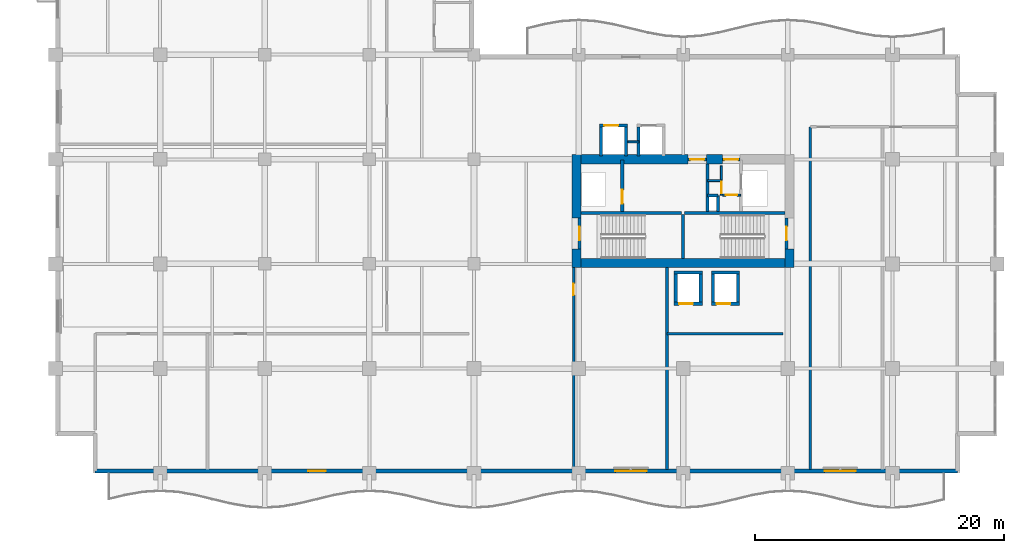
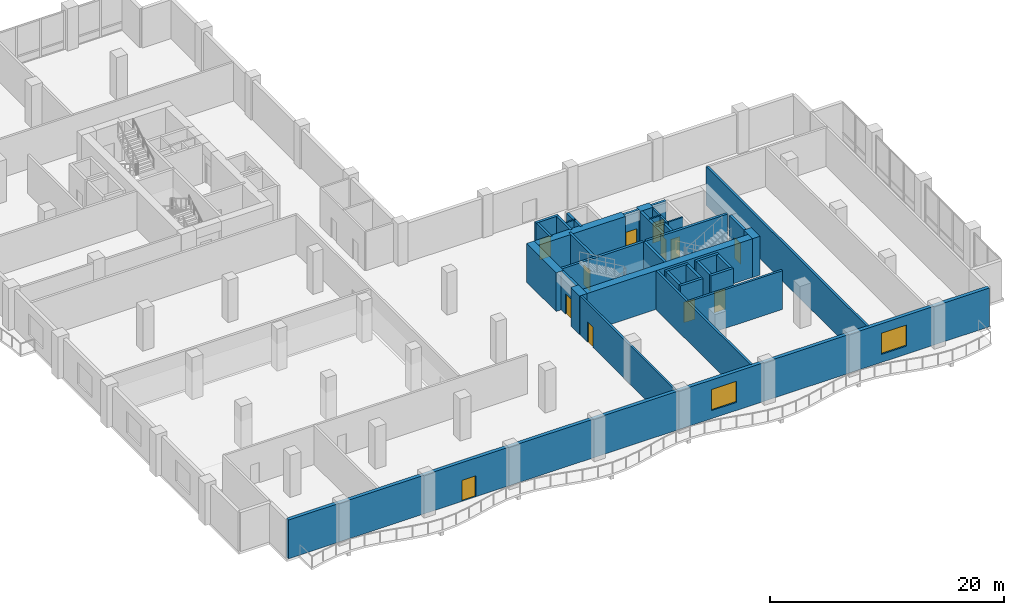
# One storey, part 14 of 25: 38 walls, 12 doors, 2 windows, 14 openings.
"""IFC4 building model written with IfcOpenShell, lengths in metres."""

from ifc_helpers import new_model, si_unit, direction, frame, frame_2d, origin, place, context, subcontext, project, spatial, rectangle, extrude, material, layer, layer_set, type_object, element, fill, save


model = new_model("IFC4")

# Units and contexts
model_context = context("Model", 3, precision=1e-05, world=origin(), true_north=direction((0.0, 1.0)))
body_context = subcontext(model_context, "Body", "Model", "MODEL_VIEW")
ifc_project = project(units=[si_unit("LENGTHUNIT", "METRE"), si_unit("AREAUNIT", "SQUARE_METRE"), si_unit("VOLUMEUNIT", "CUBIC_METRE"), si_unit("PLANEANGLEUNIT", "RADIAN"), si_unit("MASSUNIT", "GRAM", prefix="KILO")], contexts=[model_context])

# Site, building, storey
site_placement = place(None, origin())
site = spatial("IfcSite", under=ifc_project, at=site_placement, CompositionType="ELEMENT")
building_placement = place(site_placement, origin())
building = spatial("IfcBuilding", under=site, at=building_placement, Name="Koriwani Terraces Tower", CompositionType="ELEMENT")
storey_placement = place(building_placement, frame((0.0, 0.0, 157.60009765625)))
storey = spatial("IfcBuildingStorey", under=building, at=storey_placement, Name="L38", CompositionType="ELEMENT", Elevation=157.60009765625)

# Walls
ifc_material_1 = material(Name="Concrete C60/75", Category="concrete")
ifc_layer_1 = layer(ifc_material_1, 0.75, Name="Concrete C60/75")
ifc_layer_set_1 = layer_set([ifc_layer_1], Name="Concrete C60/75")
wall_type_1 = type_object("IfcWallType", Name="WALL_CORE_RC_750", PredefinedType="SHEAR", material=ifc_layer_set_1)
wall_1_placement = place(storey_placement, frame((41.824951171875, 16.5, 0.0), z_axis=(0.0, 0.0, 1.0), x_axis=(0.0, 1.0, 0.0)))
element("IfcWall", 1, at=wall_1_placement, inside=storey, type_object=wall_type_1, Name="L38 East Split Core Shear Wall W1", PredefinedType="SHEAR", context=body_context, shape_type="SweptSolid", body=[
    extrude(rectangle(XDim=1.5, YDim=0.75, at=frame_2d((0.75, 0.0))), origin(), (0.0, 0.0, 1.0), 4.0498046875),
])
wall_2_placement = place(storey_placement, frame((41.824951171875, 20.5, 0.0), z_axis=(0.0, 0.0, 1.0), x_axis=(0.0, 1.0, 0.0)))
element("IfcWall", 2, at=wall_2_placement, inside=storey, type_object=wall_type_1, Name="L38 East Split Core Shear Wall W2", PredefinedType="SHEAR", context=body_context, shape_type="SweptSolid", body=[
    extrude(rectangle(XDim=5.074951171875, YDim=0.75, at=frame_2d((2.53759765625, 0.0))), origin(), (0.0, 0.0, 1.0), 4.0498046875),
])
wall_3_placement = place(storey_placement, frame((58.925048828125, 16.5, 0.0), z_axis=(0.0, 0.0, 1.0), x_axis=(0.0, 1.0, 0.0)))
element("IfcWall", 3, at=wall_3_placement, inside=storey, type_object=wall_type_1, Name="L38 East Split Core Shear Wall E1", PredefinedType="SHEAR", context=body_context, shape_type="SweptSolid", body=[
    extrude(rectangle(XDim=1.5, YDim=0.75, at=frame_2d((0.75, 0.0))), origin(), (0.0, 0.0, 1.0), 4.0498046875),
])
wall_4_placement = place(storey_placement, frame((42.199951171875, 16.875, 0.0), z_axis=(0.0, 0.0, 1.0), x_axis=(1.0, 0.0, 0.0)))
element("IfcWall", 4, at=wall_4_placement, inside=storey, type_object=wall_type_1, Name="L38 East Split Core Shear Wall S1", PredefinedType="SHEAR", context=body_context, shape_type="SweptSolid", body=[
    extrude(rectangle(XDim=16.35009765625, YDim=0.75, at=frame_2d((8.175048828125, 0.0))), origin(), (0.0, 0.0, 1.0), 4.0498046875),
])
wall_5_placement = place(storey_placement, frame((42.199951171875, 25.199951171875, 0.0), z_axis=(0.0, 0.0, 1.0), x_axis=(1.0, 0.0, 0.0)))
element("IfcWall", 5, at=wall_5_placement, inside=storey, type_object=wall_type_1, Name="L38 East Split Core Shear Wall N1", PredefinedType="SHEAR", context=body_context, shape_type="SweptSolid", body=[
    extrude(rectangle(XDim=8.60009765625, YDim=0.75, at=frame_2d((4.300048828125, 0.0))), origin(), (0.0, 0.0, 1.0), 4.0498046875),
])
wall_6_placement = place(storey_placement, frame((52.280029296875, 25.199951171875, 0.0), z_axis=(0.0, 0.0, 1.0), x_axis=(1.0, 0.0, 0.0)))
element("IfcWall", 6, at=wall_6_placement, inside=storey, type_object=wall_type_1, Name="L38 East Split Core Shear Wall N2", PredefinedType="SHEAR", context=body_context, shape_type="SweptSolid", body=[
    extrude(rectangle(XDim=1.27001953125, YDim=0.75, at=frame_2d((0.635009765625, 0.0))), origin(), (0.0, 0.0, 1.0), 4.0498046875),
])

# Wall, opening, door
ifc_material_2 = material(Name="Autoclaved Cellular Concrete Blockwork", Category="masonry")
ifc_layer_2 = layer(ifc_material_2, 0.199951171875, Name="Autoclaved Cellular Concrete Blockwork")
ifc_layer_set_2 = layer_set([ifc_layer_2], Name="Autoclaved Cellular Concrete Blockwork")
wall_type_2 = type_object("IfcWallType", Name="WALL_CORRIDOR_200", PredefinedType="PARTITIONING", material=ifc_layer_set_2)
wall_7_placement = place(storey_placement, frame((41.60009765625, 0.300048828125, 0.0), z_axis=(0.0, 0.0, 1.0), x_axis=(0.0, 1.0, 0.0)))
wall_7 = element("IfcWall", 7, at=wall_7_placement, inside=storey, type_object=wall_type_2, Name="L38 Interior Wall WSKY-RECE1-L38", PredefinedType="PARTITIONING", context=body_context, shape_type="SweptSolid", body=[
    extrude(rectangle(XDim=16.199951171875, YDim=0.199951171875, at=frame_2d((8.10009765625, 0.0))), origin(), (0.0, 0.0, 1.0), 4.0498046875),
])
opening_1_placement = place(wall_7_placement, frame((14.0, 0.0, 0.0)))
opening_1 = element("IfcOpeningElement", 8, at=opening_1_placement, cuts=wall_7, Name="Opening D-06", PredefinedType="OPENING", context=body_context, shape_type="SweptSolid", body=[
    extrude(rectangle(XDim=0.919921875, YDim=2.10009765625, at=frame_2d((0.4599609375, 1.050048828125))), frame((0.0, 0.10986328125, 0.0), z_axis=(0.0, -1.0, 0.0), x_axis=(1.0, 0.0, 0.0)), (0.0, 0.0, 1.0), 0.219970703125),
])
ifc_material_3 = material(Name="Architectural Oak Fire Door", Category="wood")
door_type_1 = type_object("IfcDoorType", Name="DOOR_ROOM_INT_920X2100", OperationType="NOTDEFINED", PredefinedType="DOOR", material=ifc_material_3)
door_1_placement = place(opening_1_placement, origin())
door_1 = element("IfcDoor", 9, at=door_1_placement, inside=storey, type_object=door_type_1, Name="L38 VIP Tasting Salon Door", OperationType="SINGLE_SWING_LEFT", OverallHeight=2.10009765625, OverallWidth=0.919921875, PredefinedType="DOOR", context=body_context, shape_type="SweptSolid", body=[
    extrude(rectangle(XDim=0.919921875, YDim=2.10009765625, at=frame_2d((0.4599609375, 1.050048828125))), frame((0.0, 0.02490234375, 0.0), z_axis=(0.0, -1.0, 0.0), x_axis=(1.0, 0.0, 0.0)), (0.0, 0.0, 1.0), 0.050048828125),
])
fill(opening_1, door_1)

# Walls
ifc_layer_3 = layer(ifc_material_2, 0.219970703125, Name="Autoclaved Cellular Concrete Blockwork")
ifc_layer_set_3 = layer_set([ifc_layer_3], Name="Autoclaved Cellular Concrete Blockwork")
wall_type_3 = type_object("IfcWallType", Name="WALL_DEMISING_220", PredefinedType="PARTITIONING", material=ifc_layer_set_3)
wall_8_placement = place(storey_placement, frame((49.10009765625, 0.300048828125, 0.0), z_axis=(0.0, 0.0, 1.0), x_axis=(0.0, 1.0, 0.0)))
element("IfcWall", 10, at=wall_8_placement, inside=storey, type_object=wall_type_3, Name="L38 Interior Wall WSKY-RECE2-L38", PredefinedType="PARTITIONING", context=body_context, shape_type="SweptSolid", body=[
    extrude(rectangle(XDim=16.199951171875, YDim=0.219970703125, at=frame_2d((8.10009765625, 0.0))), origin(), (0.0, 0.0, 1.0), 4.0498046875),
])
wall_9_placement = place(storey_placement, frame((49.10009765625, 11.199951171875, 0.0), z_axis=(0.0, 0.0, 1.0), x_axis=(1.0, 0.0, 0.0)))
element("IfcWall", 11, at=wall_9_placement, inside=storey, type_object=wall_type_3, Name="L38 Interior Wall WSKY-RECE3-L38", PredefinedType="PARTITIONING", context=body_context, shape_type="SweptSolid", body=[
    extrude(rectangle(XDim=9.2998046875, YDim=0.219970703125, at=frame_2d((4.64990234375, 0.0))), origin(), (0.0, 0.0, 1.0), 4.0498046875),
])
wall_10_placement = place(storey_placement, frame((60.60009765625, 0.300048828125, 0.0), z_axis=(0.0, 0.0, 1.0), x_axis=(0.0, 1.0, 0.0)))
element("IfcWall", 12, at=wall_10_placement, inside=storey, type_object=wall_type_3, Name="L38 Interior Wall WSKY-EW-L38", PredefinedType="PARTITIONING", context=body_context, shape_type="SweptSolid", body=[
    extrude(rectangle(XDim=27.5, YDim=0.219970703125, at=frame_2d((13.75, 0.0))), origin(), (0.0, 0.0, 1.0), 4.0498046875),
])

# Wall, openings, door, windows
ifc_material_4 = material(Name="Concrete C50/60", Category="concrete")
ifc_layer_4 = layer(ifc_material_4, 0.35009765625, Name="Concrete C50/60")
ifc_layer_set_4 = layer_set([ifc_layer_4], Name="Concrete C50/60")
wall_type_4 = type_object("IfcWallType", Name="WALL_EXT_BRUTALIST_350", PredefinedType="STANDARD", material=ifc_layer_set_4)
wall_11_placement = place(storey_placement, frame((72.425048828125, 0.175048828125, 0.0), z_axis=(0.0, 0.0, 1.0), x_axis=(-1.0, 0.0, 0.0)))
wall_11 = element("IfcWall", 13, at=wall_11_placement, inside=storey, type_object=wall_type_4, Name="L38 Fair-Faced Brutalist Exterior Wall (S)", PredefinedType="STANDARD", context=body_context, shape_type="SweptSolid", body=[
    extrude(rectangle(XDim=69.25, YDim=0.35009765625, at=frame_2d((34.625, 0.0))), origin(), (0.0, 0.0, 1.0), 4.0498046875),
])
opening_2_placement = place(wall_11_placement, frame((50.72509765625, 0.0, 0.0)))
opening_2 = element("IfcOpeningElement", 14, at=opening_2_placement, cuts=wall_11, Name="Opening D-09", PredefinedType="OPENING", context=body_context, shape_type="SweptSolid", body=[
    extrude(rectangle(XDim=1.39990234375, YDim=2.199951171875, at=frame_2d((0.699951171875, 1.10009765625))), frame((0.0, 0.18505859375, 0.0), z_axis=(0.0, -1.0, 0.0), x_axis=(1.0, 0.0, 0.0)), (0.0, 0.0, 1.0), 0.3701171875),
])
opening_3_placement = place(wall_11_placement, frame((24.97509765625, 0.0, 0.85009765625)))
opening_3 = element("IfcOpeningElement", 15, at=opening_3_placement, cuts=wall_11, Name="Opening W-07", PredefinedType="OPENING", context=body_context, shape_type="SweptSolid", body=[
    extrude(rectangle(XDim=2.5, YDim=2.199951171875, at=frame_2d((1.25, 1.10009765625))), frame((0.0, 0.18505859375, 0.0), z_axis=(0.0, -1.0, 0.0), x_axis=(1.0, 0.0, 0.0)), (0.0, 0.0, 1.0), 0.3701171875),
])
opening_4_placement = place(wall_11_placement, frame((8.175048828125, 0.0, 0.85009765625)))
opening_4 = element("IfcOpeningElement", 16, at=opening_4_placement, cuts=wall_11, Name="Opening W-07", PredefinedType="OPENING", context=body_context, shape_type="SweptSolid", body=[
    extrude(rectangle(XDim=2.5, YDim=2.199951171875, at=frame_2d((1.25, 1.10009765625))), frame((0.0, 0.18505859375, 0.0), z_axis=(0.0, -1.0, 0.0), x_axis=(1.0, 0.0, 0.0)), (0.0, 0.0, 1.0), 0.3701171875),
])
ifc_material_5 = material(Name="Anodised Bronze Aluminium", Category="aluminium")
door_type_2 = type_object("IfcDoorType", Name="DOOR_BALCONY_GLAZED_1400X2200", OperationType="NOTDEFINED", PredefinedType="DOOR", material=ifc_material_5)
door_2_placement = place(opening_2_placement, origin())
door_2 = element("IfcDoor", 17, at=door_2_placement, inside=storey, type_object=door_type_2, Name="L38 South Balcony Glazed Door", OperationType="SINGLE_SWING_LEFT", OverallHeight=2.199951171875, OverallWidth=1.39990234375, PredefinedType="DOOR", context=body_context, shape_type="SweptSolid", body=[
    extrude(rectangle(XDim=1.39990234375, YDim=2.199951171875, at=frame_2d((0.699951171875, 1.10009765625))), frame((0.0, 0.02490234375, 0.0), z_axis=(0.0, -1.0, 0.0), x_axis=(1.0, 0.0, 0.0)), (0.0, 0.0, 1.0), 0.050048828125),
])
fill(opening_2, door_2)
ifc_material_6 = material(Name="Tempered Laminated Low-E Glass", Category="glass")
window_type = type_object("IfcWindowType", Name="WIN_SKY_LOUNGE_2500X2200", PartitioningType="SINGLE_PANEL", PredefinedType="WINDOW", material=ifc_material_6)
window_1_placement = place(opening_3_placement, origin())
window_1 = element("IfcWindow", 18, at=window_1_placement, inside=storey, type_object=window_type, Name="L38 Exterior Window (S-15)", OverallHeight=2.199951171875, OverallWidth=2.5, PartitioningType="SINGLE_PANEL", PredefinedType="WINDOW", context=body_context, shape_type="SweptSolid", body=[
    extrude(rectangle(XDim=2.5, YDim=2.199951171875, at=frame_2d((1.25, 1.10009765625))), frame((0.0, 0.030029296875, 0.0), z_axis=(0.0, -1.0, 0.0), x_axis=(1.0, 0.0, 0.0)), (0.0, 0.0, 1.0), 0.06005859375),
])
fill(opening_3, window_1)
window_2_placement = place(opening_4_placement, origin())
window_2 = element("IfcWindow", 19, at=window_2_placement, inside=storey, type_object=window_type, Name="L38 Exterior Window (S-21)", OverallHeight=2.199951171875, OverallWidth=2.5, PartitioningType="SINGLE_PANEL", PredefinedType="WINDOW", context=body_context, shape_type="SweptSolid", body=[
    extrude(rectangle(XDim=2.5, YDim=2.199951171875, at=frame_2d((1.25, 1.10009765625))), frame((0.0, 0.030029296875, 0.0), z_axis=(0.0, -1.0, 0.0), x_axis=(1.0, 0.0, 0.0)), (0.0, 0.0, 1.0), 0.06005859375),
])
fill(opening_4, window_2)

# Walls
ifc_material_7 = material(Name="Concrete C40/50", Category="concrete")
ifc_layer_5 = layer(ifc_material_7, 0.25, Name="Concrete C40/50")
ifc_layer_set_5 = layer_set([ifc_layer_5], Name="Concrete C40/50")
wall_type_5 = type_object("IfcWallType", Name="WALL_SHAFT_RATED_250", PredefinedType="SOLIDWALL", material=ifc_layer_set_5)
for number, where, z_axis, x_axis, name in (
    (20, (42.199951171875, 20.875, 0.0), (0.0, 0.0, 1.0), (1.0, 0.0, 0.0), "L38 East Split Core Web Wall MID1"),
    (21, (50.5, 20.875, 0.0), (0.0, 0.0, 1.0), (1.0, 0.0, 0.0), "L38 East Split Core Web Wall MID2"),
):
    element("IfcWall", number, at=place(storey_placement, frame(where, z_axis=z_axis, x_axis=x_axis)), inside=storey, type_object=wall_type_5, Name=name, PredefinedType="SOLIDWALL", context=body_context, shape_type="SweptSolid", body=[
        extrude(rectangle(XDim=8.050048828125, YDim=0.25, at=frame_2d((4.02490234375, 0.0))), origin(), (0.0, 0.0, 1.0), 4.0498046875),
    ])
wall_12_placement = place(storey_placement, frame((50.375, 17.25, 0.0), z_axis=(0.0, 0.0, 1.0), x_axis=(0.0, 1.0, 0.0)))
element("IfcWall", 22, at=wall_12_placement, inside=storey, type_object=wall_type_5, Name="L38 East Split Core Stair Dividing Wall", PredefinedType="SOLIDWALL", context=body_context, shape_type="SweptSolid", body=[
    extrude(rectangle(XDim=3.5, YDim=0.25, at=frame_2d((1.75, 0.0))), origin(), (0.0, 0.0, 1.0), 4.0498046875),
])

# Wall, opening, door
wall_13_placement = place(storey_placement, frame((42.074951171875, 18.0, 0.0), z_axis=(0.0, 0.0, 1.0), x_axis=(0.0, 1.0, 0.0)))
wall_13 = element("IfcWall", 23, at=wall_13_placement, inside=storey, type_object=wall_type_5, Name="L38 Interior Wall WIN-CE-L38-STW", PredefinedType="SOLIDWALL", context=body_context, shape_type="SweptSolid", body=[
    extrude(rectangle(XDim=2.5, YDim=0.25, at=frame_2d((1.25, 0.0))), origin(), (0.0, 0.0, 1.0), 4.0498046875),
])
opening_5_placement = place(wall_13_placement, frame((0.699951171875, 0.0, 0.0)))
opening_5 = element("IfcOpeningElement", 24, at=opening_5_placement, cuts=wall_13, Name="Opening D-03", PredefinedType="OPENING", context=body_context, shape_type="SweptSolid", body=[
    extrude(rectangle(XDim=1.10009765625, YDim=2.14990234375, at=frame_2d((0.550048828125, 1.074951171875))), frame((0.0, 0.135009765625, 0.0), z_axis=(0.0, -1.0, 0.0), x_axis=(1.0, 0.0, 0.0)), (0.0, 0.0, 1.0), 0.27001953125),
])
ifc_material_8 = material(Name="Steel ASTM A572 Grade 50", Category="steel")
door_type_3 = type_object("IfcDoorType", Name="DOOR_STAIR_FIRE_1100X2150", OperationType="NOTDEFINED", PredefinedType="DOOR", material=ifc_material_8)
door_3_placement = place(opening_5_placement, origin())
door_3 = element("IfcDoor", 25, at=door_3_placement, inside=storey, type_object=door_type_3, Name="L38 Exit Stair ST-E1 Door", OperationType="SINGLE_SWING_LEFT", OverallHeight=2.14990234375, OverallWidth=1.10009765625, PredefinedType="DOOR", context=body_context, shape_type="SweptSolid", body=[
    extrude(rectangle(XDim=1.10009765625, YDim=2.14990234375, at=frame_2d((0.550048828125, 1.074951171875))), frame((0.0, 0.02490234375, 0.0), z_axis=(0.0, -1.0, 0.0), x_axis=(1.0, 0.0, 0.0)), (0.0, 0.0, 1.0), 0.050048828125),
])
fill(opening_5, door_3)

wall_14_placement = place(storey_placement, frame((58.675048828125, 18.0, 0.0), z_axis=(0.0, 0.0, 1.0), x_axis=(0.0, 1.0, 0.0)))
wall_14 = element("IfcWall", 26, at=wall_14_placement, inside=storey, type_object=wall_type_5, Name="L38 Interior Wall WIN-CE-L38-STE", PredefinedType="SOLIDWALL", context=body_context, shape_type="SweptSolid", body=[
    extrude(rectangle(XDim=2.5, YDim=0.25, at=frame_2d((1.25, 0.0))), origin(), (0.0, 0.0, 1.0), 4.0498046875),
])
opening_6_placement = place(wall_14_placement, frame((0.699951171875, 0.0, 0.0)))
opening_6 = element("IfcOpeningElement", 27, at=opening_6_placement, cuts=wall_14, Name="Opening D-03", PredefinedType="OPENING", context=body_context, shape_type="SweptSolid", body=[
    extrude(rectangle(XDim=1.10009765625, YDim=2.14990234375, at=frame_2d((0.550048828125, 1.074951171875))), frame((0.0, 0.135009765625, 0.0), z_axis=(0.0, -1.0, 0.0), x_axis=(1.0, 0.0, 0.0)), (0.0, 0.0, 1.0), 0.27001953125),
])
door_4_placement = place(opening_6_placement, origin())
door_4 = element("IfcDoor", 28, at=door_4_placement, inside=storey, type_object=door_type_3, Name="L38 Exit Stair ST-E2 Door", OperationType="SINGLE_SWING_RIGHT", OverallHeight=2.14990234375, OverallWidth=1.10009765625, PredefinedType="DOOR", context=body_context, shape_type="SweptSolid", body=[
    extrude(rectangle(XDim=1.10009765625, YDim=2.14990234375, at=frame_2d((0.550048828125, 1.074951171875))), frame((0.0, 0.02490234375, 0.0), z_axis=(0.0, -1.0, 0.0), x_axis=(1.0, 0.0, 0.0)), (0.0, 0.0, 1.0), 0.050048828125),
])
fill(opening_6, door_4)

wall_15_placement = place(storey_placement, frame((45.5, 21.0, 0.0), z_axis=(0.0, 0.0, 1.0), x_axis=(0.0, 1.0, 0.0)))
wall_15 = element("IfcWall", 29, at=wall_15_placement, inside=storey, type_object=wall_type_5, Name="L38 Interior Wall WIN-CE-L38-FE", PredefinedType="SOLIDWALL", context=body_context, shape_type="SweptSolid", body=[
    extrude(rectangle(XDim=4.14990234375, YDim=0.25, at=frame_2d((2.074951171875, 0.0))), origin(), (0.0, 0.0, 1.0), 4.0498046875),
])
opening_7_placement = place(wall_15_placement, frame((0.64990234375, 0.0, 0.0)))
opening_7 = element("IfcOpeningElement", 30, at=opening_7_placement, cuts=wall_15, Name="Opening LD-01", PredefinedType="OPENING", context=body_context, shape_type="SweptSolid", body=[
    extrude(rectangle(XDim=1.10009765625, YDim=2.14990234375, at=frame_2d((0.550048828125, 1.074951171875))), frame((0.0, 0.135009765625, 0.0), z_axis=(0.0, -1.0, 0.0), x_axis=(1.0, 0.0, 0.0)), (0.0, 0.0, 1.0), 0.27001953125),
])
door_type_4 = type_object("IfcDoorType", Name="DOOR_LIFT_LANDING_1100X2200", OperationType="NOTDEFINED", PredefinedType="DOOR", material=ifc_material_8)
door_5_placement = place(opening_7_placement, origin())
door_5 = element("IfcDoor", 31, at=door_5_placement, inside=storey, type_object=door_type_4, Name="L38 Firefighting Lift FE-02 Landing Door", OperationType="SLIDING_TO_LEFT", OverallHeight=2.14990234375, OverallWidth=1.10009765625, PredefinedType="DOOR", context=body_context, shape_type="SweptSolid", body=[
    extrude(rectangle(XDim=1.10009765625, YDim=2.14990234375, at=frame_2d((0.550048828125, 1.074951171875))), frame((0.0, 0.02490234375, 0.0), z_axis=(0.0, -1.0, 0.0), x_axis=(1.0, 0.0, 0.0)), (0.0, 0.0, 1.0), 0.050048828125),
])
fill(opening_7, door_5)

wall_16_placement = place(storey_placement, frame((50.800048828125, 25.199951171875, 0.0), z_axis=(0.0, 0.0, 1.0), x_axis=(1.0, 0.0, 0.0)))
wall_16 = element("IfcWall", 32, at=wall_16_placement, inside=storey, type_object=wall_type_5, Name="L38 Interior Wall WIN-CE-L38-NP", PredefinedType="SOLIDWALL", context=body_context, shape_type="SweptSolid", body=[
    extrude(rectangle(XDim=1.47998046875, YDim=0.25, at=frame_2d((0.739990234375, 0.0))), origin(), (0.0, 0.0, 1.0), 4.0498046875),
])
opening_8_placement = place(wall_16_placement, frame((0.179931640625, 0.0, 0.0)))
opening_8 = element("IfcOpeningElement", 33, at=opening_8_placement, cuts=wall_16, Name="Opening D-03", PredefinedType="OPENING", context=body_context, shape_type="SweptSolid", body=[
    extrude(rectangle(XDim=1.10009765625, YDim=2.14990234375, at=frame_2d((0.550048828125, 1.074951171875))), frame((0.0, 0.135009765625, 0.0), z_axis=(0.0, -1.0, 0.0), x_axis=(1.0, 0.0, 0.0)), (0.0, 0.0, 1.0), 0.27001953125),
])
door_6_placement = place(opening_8_placement, origin())
door_6 = element("IfcDoor", 34, at=door_6_placement, inside=storey, type_object=door_type_3, Name="L38 East Firefighting Lobby Door", OperationType="SINGLE_SWING_LEFT", OverallHeight=2.14990234375, OverallWidth=1.10009765625, PredefinedType="DOOR", context=body_context, shape_type="SweptSolid", body=[
    extrude(rectangle(XDim=1.10009765625, YDim=2.14990234375, at=frame_2d((0.550048828125, 1.074951171875))), frame((0.0, 0.02490234375, 0.0), z_axis=(0.0, -1.0, 0.0), x_axis=(1.0, 0.0, 0.0)), (0.0, 0.0, 1.0), 0.050048828125),
])
fill(opening_8, door_6)

# Wall
wall_17_placement = place(storey_placement, frame((52.340087890625, 21.0, 0.0), z_axis=(0.0, 0.0, 1.0), x_axis=(0.0, 1.0, 0.0)))
element("IfcWall", 35, at=wall_17_placement, inside=storey, type_object=wall_type_5, Name="L38 Interior Wall WIN-CE-L38-FFE", PredefinedType="SOLIDWALL", context=body_context, shape_type="SweptSolid", body=[
    extrude(rectangle(XDim=3.824951171875, YDim=0.25, at=frame_2d((1.91259765625, 0.0))), origin(), (0.0, 0.0, 1.0), 4.0498046875),
])

# Wall, opening, door
wall_18_placement = place(storey_placement, frame((53.550048828125, 25.199951171875, 0.0), z_axis=(0.0, 0.0, 1.0), x_axis=(1.0, 0.0, 0.0)))
wall_18 = element("IfcWall", 36, at=wall_18_placement, inside=storey, type_object=wall_type_5, Name="L38 Interior Wall WIN-CE-L38-NP2", PredefinedType="SOLIDWALL", context=body_context, shape_type="SweptSolid", body=[
    extrude(rectangle(XDim=1.39990234375, YDim=0.25, at=frame_2d((0.699951171875, 0.0))), origin(), (0.0, 0.0, 1.0), 4.0498046875),
])
opening_9_placement = place(wall_18_placement, frame((0.14990234375, 0.0, 0.0)))
opening_9 = element("IfcOpeningElement", 37, at=opening_9_placement, cuts=wall_18, Name="Opening D-03", PredefinedType="OPENING", context=body_context, shape_type="SweptSolid", body=[
    extrude(rectangle(XDim=1.10009765625, YDim=2.14990234375, at=frame_2d((0.550048828125, 1.074951171875))), frame((0.0, 0.135009765625, 0.0), z_axis=(0.0, -1.0, 0.0), x_axis=(1.0, 0.0, 0.0)), (0.0, 0.0, 1.0), 0.27001953125),
])
door_7_placement = place(opening_9_placement, origin())
door_7 = element("IfcDoor", 38, at=door_7_placement, inside=storey, type_object=door_type_3, Name="L38 East Goods Lift Lobby Door", OperationType="SINGLE_SWING_RIGHT", OverallHeight=2.14990234375, OverallWidth=1.10009765625, PredefinedType="DOOR", context=body_context, shape_type="SweptSolid", body=[
    extrude(rectangle(XDim=1.10009765625, YDim=2.14990234375, at=frame_2d((0.550048828125, 1.074951171875))), frame((0.0, 0.02490234375, 0.0), z_axis=(0.0, -1.0, 0.0), x_axis=(1.0, 0.0, 0.0)), (0.0, 0.0, 1.0), 0.050048828125),
])
fill(opening_9, door_7)

# Walls
wall_19_placement = place(storey_placement, frame((53.199951171875, 21.0, 0.0), z_axis=(0.0, 0.0, 1.0), x_axis=(0.0, 1.0, 0.0)))
element("IfcWall", 39, at=wall_19_placement, inside=storey, type_object=wall_type_5, Name="L38 Interior Wall WIN-CE-L38-RS1", PredefinedType="SOLIDWALL", context=body_context, shape_type="SweptSolid", body=[
    extrude(rectangle(XDim=1.300048828125, YDim=0.25, at=frame_2d((0.64990234375, 0.0))), origin(), (0.0, 0.0, 1.0), 4.0498046875),
])
wall_20_placement = place(storey_placement, frame((52.360107421875, 22.300048828125, 0.0), z_axis=(0.0, 0.0, 1.0), x_axis=(1.0, 0.0, 0.0)))
element("IfcWall", 40, at=wall_20_placement, inside=storey, type_object=wall_type_5, Name="L38 Interior Wall WIN-CE-L38-RS2", PredefinedType="SOLIDWALL", context=body_context, shape_type="SweptSolid", body=[
    extrude(rectangle(XDim=0.83984375, YDim=0.25, at=frame_2d((0.419921875, 0.0))), origin(), (0.0, 0.0, 1.0), 4.0498046875),
])

# Wall, opening, door
wall_21_placement = place(storey_placement, frame((49.675048828125, 13.60009765625, 0.0), z_axis=(0.0, 0.0, 1.0), x_axis=(1.0, 0.0, 0.0)))
wall_21 = element("IfcWall", 41, at=wall_21_placement, inside=storey, type_object=wall_type_5, Name="L38 Interior Wall WIN-LF-PE-M3-L38-F", PredefinedType="SOLIDWALL", context=body_context, shape_type="SweptSolid", body=[
    extrude(rectangle(XDim=2.25, YDim=0.25, at=frame_2d((1.125, 0.0))), origin(), (0.0, 0.0, 1.0), 4.0498046875),
])
opening_10_placement = place(wall_21_placement, frame((0.39990234375, 0.0, 0.0)))
opening_10 = element("IfcOpeningElement", 42, at=opening_10_placement, cuts=wall_21, Name="Opening LD-01", PredefinedType="OPENING", context=body_context, shape_type="SweptSolid", body=[
    extrude(rectangle(XDim=1.10009765625, YDim=2.14990234375, at=frame_2d((0.550048828125, 1.074951171875))), frame((0.0, 0.135009765625, 0.0), z_axis=(0.0, -1.0, 0.0), x_axis=(1.0, 0.0, 0.0)), (0.0, 0.0, 1.0), 0.27001953125),
])
door_8_placement = place(opening_10_placement, origin())
door_8 = element("IfcDoor", 43, at=door_8_placement, inside=storey, type_object=door_type_4, Name="L38 Passenger Lift PE-M3 Landing Door", OperationType="SLIDING_TO_LEFT", OverallHeight=2.14990234375, OverallWidth=1.10009765625, PredefinedType="DOOR", context=body_context, shape_type="SweptSolid", body=[
    extrude(rectangle(XDim=1.10009765625, YDim=2.14990234375, at=frame_2d((0.550048828125, 1.074951171875))), frame((0.0, 0.02490234375, 0.0), z_axis=(0.0, -1.0, 0.0), x_axis=(1.0, 0.0, 0.0)), (0.0, 0.0, 1.0), 0.050048828125),
])
fill(opening_10, door_8)

# Walls
for number, where, z_axis, x_axis, name in (
    (44, (49.675048828125, 16.10009765625, 0.0), (0.0, 0.0, 1.0), (1.0, 0.0, 0.0), "L38 Interior Wall WIN-LF-PE-M3-L38-B"),
    (45, (49.800048828125, 13.72509765625, 0.0), (0.0, 0.0, 1.0), (0.0, 1.0, 0.0), "L38 Interior Wall WIN-LF-PE-M3-L38-W"),
    (46, (51.800048828125, 13.72509765625, 0.0), (0.0, 0.0, 1.0), (0.0, 1.0, 0.0), "L38 Interior Wall WIN-LF-PE-M3-L38-E"),
):
    element("IfcWall", number, at=place(storey_placement, frame(where, z_axis=z_axis, x_axis=x_axis)), inside=storey, type_object=wall_type_5, Name=name, PredefinedType="SOLIDWALL", context=body_context, shape_type="SweptSolid", body=[
        extrude(rectangle(XDim=2.25, YDim=0.25, at=frame_2d((1.125, 0.0))), origin(), (0.0, 0.0, 1.0), 4.0498046875),
    ])

# Wall, opening, door
wall_22_placement = place(storey_placement, frame((52.675048828125, 13.60009765625, 0.0), z_axis=(0.0, 0.0, 1.0), x_axis=(1.0, 0.0, 0.0)))
wall_22 = element("IfcWall", 47, at=wall_22_placement, inside=storey, type_object=wall_type_5, Name="L38 Interior Wall WIN-LF-PE-M4-L38-F", PredefinedType="SOLIDWALL", context=body_context, shape_type="SweptSolid", body=[
    extrude(rectangle(XDim=2.25, YDim=0.25, at=frame_2d((1.125, 0.0))), origin(), (0.0, 0.0, 1.0), 4.0498046875),
])
opening_11_placement = place(wall_22_placement, frame((0.39990234375, 0.0, 0.0)))
opening_11 = element("IfcOpeningElement", 48, at=opening_11_placement, cuts=wall_22, Name="Opening LD-01", PredefinedType="OPENING", context=body_context, shape_type="SweptSolid", body=[
    extrude(rectangle(XDim=1.10009765625, YDim=2.14990234375, at=frame_2d((0.550048828125, 1.074951171875))), frame((0.0, 0.135009765625, 0.0), z_axis=(0.0, -1.0, 0.0), x_axis=(1.0, 0.0, 0.0)), (0.0, 0.0, 1.0), 0.27001953125),
])
door_9_placement = place(opening_11_placement, origin())
door_9 = element("IfcDoor", 49, at=door_9_placement, inside=storey, type_object=door_type_4, Name="L38 Passenger Lift PE-M4 Landing Door", OperationType="SLIDING_TO_LEFT", OverallHeight=2.14990234375, OverallWidth=1.10009765625, PredefinedType="DOOR", context=body_context, shape_type="SweptSolid", body=[
    extrude(rectangle(XDim=1.10009765625, YDim=2.14990234375, at=frame_2d((0.550048828125, 1.074951171875))), frame((0.0, 0.02490234375, 0.0), z_axis=(0.0, -1.0, 0.0), x_axis=(1.0, 0.0, 0.0)), (0.0, 0.0, 1.0), 0.050048828125),
])
fill(opening_11, door_9)

# Walls
for number, where, z_axis, x_axis, name in (
    (50, (52.675048828125, 16.10009765625, 0.0), (0.0, 0.0, 1.0), (1.0, 0.0, 0.0), "L38 Interior Wall WIN-LF-PE-M4-L38-B"),
    (51, (52.800048828125, 13.72509765625, 0.0), (0.0, 0.0, 1.0), (0.0, 1.0, 0.0), "L38 Interior Wall WIN-LF-PE-M4-L38-W"),
    (52, (54.800048828125, 13.72509765625, 0.0), (0.0, 0.0, 1.0), (0.0, 1.0, 0.0), "L38 Interior Wall WIN-LF-PE-M4-L38-E"),
):
    element("IfcWall", number, at=place(storey_placement, frame(where, z_axis=z_axis, x_axis=x_axis)), inside=storey, type_object=wall_type_5, Name=name, PredefinedType="SOLIDWALL", context=body_context, shape_type="SweptSolid", body=[
        extrude(rectangle(XDim=2.25, YDim=0.25, at=frame_2d((1.125, 0.0))), origin(), (0.0, 0.0, 1.0), 4.0498046875),
    ])

# Wall, opening, door
wall_23_placement = place(storey_placement, frame((43.675048828125, 27.89990234375, 0.0), z_axis=(0.0, 0.0, 1.0), x_axis=(1.0, 0.0, 0.0)))
wall_23 = element("IfcWall", 53, at=wall_23_placement, inside=storey, type_object=wall_type_5, Name="L38 Interior Wall WIN-LF-PE-H3-L38-F", PredefinedType="SOLIDWALL", context=body_context, shape_type="SweptSolid", body=[
    extrude(rectangle(XDim=2.25, YDim=0.25, at=frame_2d((1.125, 0.0))), origin(), (0.0, 0.0, 1.0), 4.0498046875),
])
opening_12_placement = place(wall_23_placement, frame((0.39990234375, 0.0, 0.0)))
opening_12 = element("IfcOpeningElement", 54, at=opening_12_placement, cuts=wall_23, Name="Opening LD-01", PredefinedType="OPENING", context=body_context, shape_type="SweptSolid", body=[
    extrude(rectangle(XDim=1.10009765625, YDim=2.14990234375, at=frame_2d((0.550048828125, 1.074951171875))), frame((0.0, 0.135009765625, 0.0), z_axis=(0.0, -1.0, 0.0), x_axis=(1.0, 0.0, 0.0)), (0.0, 0.0, 1.0), 0.27001953125),
])
door_10_placement = place(opening_12_placement, origin())
door_10 = element("IfcDoor", 55, at=door_10_placement, inside=storey, type_object=door_type_4, Name="L38 Passenger Lift PE-H3 Landing Door", OperationType="SLIDING_TO_LEFT", OverallHeight=2.14990234375, OverallWidth=1.10009765625, PredefinedType="DOOR", context=body_context, shape_type="SweptSolid", body=[
    extrude(rectangle(XDim=1.10009765625, YDim=2.14990234375, at=frame_2d((0.550048828125, 1.074951171875))), frame((0.0, 0.02490234375, 0.0), z_axis=(0.0, -1.0, 0.0), x_axis=(1.0, 0.0, 0.0)), (0.0, 0.0, 1.0), 0.050048828125),
])
fill(opening_12, door_10)

# Walls
for number, where, z_axis, x_axis, name in (
    (56, (43.800048828125, 25.449951171875, 0.0), (0.0, 0.0, 1.0), (0.0, 1.0, 0.0), "L38 Interior Wall WIN-LF-PE-H3-L38-W"),
    (57, (45.800048828125, 25.449951171875, 0.0), (0.0, 0.0, 1.0), (0.0, 1.0, 0.0), "L38 Interior Wall WIN-LF-PE-H3-L38-E"),
    (58, (46.800048828125, 25.449951171875, 0.0), (0.0, 0.0, 1.0), (0.0, 1.0, 0.0), "L38 Interior Wall WIN-LF-PE-H4-L38-W"),
):
    element("IfcWall", number, at=place(storey_placement, frame(where, z_axis=z_axis, x_axis=x_axis)), inside=storey, type_object=wall_type_5, Name=name, PredefinedType="SOLIDWALL", context=body_context, shape_type="SweptSolid", body=[
        extrude(rectangle(XDim=2.324951171875, YDim=0.25, at=frame_2d((1.16259765625, 0.0))), origin(), (0.0, 0.0, 1.0), 4.0498046875),
    ])

# Wall, opening, door
ifc_material_9 = material(Name="Fire-Rated Acoustic Gypsum Partition", Category="masonry")
ifc_layer_6 = layer(ifc_material_9, 0.159912109375, Name="Fire-Rated Acoustic Gypsum Partition")
ifc_layer_set_6 = layer_set([ifc_layer_6], Name="Fire-Rated Acoustic Gypsum Partition")
wall_type_6 = type_object("IfcWallType", Name="WALL_SUITE_160", PredefinedType="PARTITIONING", material=ifc_layer_set_6)
wall_24_placement = place(storey_placement, frame((53.56005859375, 22.320068359375, 0.0), z_axis=(0.0, 0.0, 1.0), x_axis=(1.0, 0.0, 0.0)))
wall_24 = element("IfcWall", 59, at=wall_24_placement, inside=storey, type_object=wall_type_6, Name="L38 Interior Wall WIN-CE-L38-SV2A", PredefinedType="PARTITIONING", context=body_context, shape_type="SweptSolid", body=[
    extrude(rectangle(XDim=1.43994140625, YDim=0.159912109375, at=frame_2d((0.719970703125, 0.0))), origin(), (0.0, 0.0, 1.0), 4.0498046875),
])
opening_13_placement = place(wall_24_placement, frame((0.260009765625, 0.0, 0.0)))
opening_13 = element("IfcOpeningElement", 60, at=opening_13_placement, cuts=wall_24, Name="Opening D-07", PredefinedType="OPENING", context=body_context, shape_type="SweptSolid", body=[
    extrude(rectangle(XDim=0.89990234375, YDim=2.10009765625, at=frame_2d((0.449951171875, 1.050048828125))), frame((0.0, 0.08984375, 0.0), z_axis=(0.0, -1.0, 0.0), x_axis=(1.0, 0.0, 0.0)), (0.0, 0.0, 1.0), 0.179931640625),
])
door_type_5 = type_object("IfcDoorType", Name="DOOR_BATH_INT_900X2100", OperationType="NOTDEFINED", PredefinedType="DOOR", material=ifc_material_3)
door_11_placement = place(opening_13_placement, origin())
door_11 = element("IfcDoor", 61, at=door_11_placement, inside=storey, type_object=door_type_5, Name="L38 East Meter Room Door", OperationType="SINGLE_SWING_LEFT", OverallHeight=2.10009765625, OverallWidth=0.89990234375, PredefinedType="DOOR", context=body_context, shape_type="SweptSolid", body=[
    extrude(rectangle(XDim=0.89990234375, YDim=2.10009765625, at=frame_2d((0.449951171875, 1.050048828125))), frame((0.0, 0.02490234375, 0.0), z_axis=(0.0, -1.0, 0.0), x_axis=(1.0, 0.0, 0.0)), (0.0, 0.0, 1.0), 0.050048828125),
])
fill(opening_13, door_11)

wall_25_placement = place(storey_placement, frame((53.4599609375, 22.320068359375, 0.0), z_axis=(0.0, 0.0, 1.0), x_axis=(0.0, 1.0, 0.0)))
wall_25 = element("IfcWall", 62, at=wall_25_placement, inside=storey, type_object=wall_type_6, Name="L38 Interior Wall WIN-CE-L38-SV2H", PredefinedType="PARTITIONING", context=body_context, shape_type="SweptSolid", body=[
    extrude(rectangle(XDim=2.35986328125, YDim=0.159912109375, at=frame_2d((1.179931640625, 0.0))), origin(), (0.0, 0.0, 1.0), 4.0498046875),
])
opening_14_placement = place(wall_25_placement, frame((0.159912109375, 0.0, 0.0)))
opening_14 = element("IfcOpeningElement", 63, at=opening_14_placement, cuts=wall_25, Name="Opening D-07", PredefinedType="OPENING", context=body_context, shape_type="SweptSolid", body=[
    extrude(rectangle(XDim=0.89990234375, YDim=2.10009765625, at=frame_2d((0.449951171875, 1.050048828125))), frame((0.0, 0.08984375, 0.0), z_axis=(0.0, -1.0, 0.0), x_axis=(1.0, 0.0, 0.0)), (0.0, 0.0, 1.0), 0.179931640625),
])
door_12_placement = place(opening_14_placement, origin())
door_12 = element("IfcDoor", 64, at=door_12_placement, inside=storey, type_object=door_type_5, Name="L38 East Valve Room Door", OperationType="SINGLE_SWING_RIGHT", OverallHeight=2.10009765625, OverallWidth=0.89990234375, PredefinedType="DOOR", context=body_context, shape_type="SweptSolid", body=[
    extrude(rectangle(XDim=0.89990234375, YDim=2.10009765625, at=frame_2d((0.449951171875, 1.050048828125))), frame((0.0, 0.02490234375, 0.0), z_axis=(0.0, -1.0, 0.0), x_axis=(1.0, 0.0, 0.0)), (0.0, 0.0, 1.0), 0.050048828125),
])
fill(opening_14, door_12)

# Walls
wall_26_placement = place(storey_placement, frame((52.360107421875, 23.47998046875, 0.0), z_axis=(0.0, 0.0, 1.0), x_axis=(1.0, 0.0, 0.0)))
element("IfcWall", 65, at=wall_26_placement, inside=storey, type_object=wall_type_6, Name="L38 Interior Wall WIN-CE-L38-SV2V", PredefinedType="PARTITIONING", context=body_context, shape_type="SweptSolid", body=[
    extrude(rectangle(XDim=1.099853515625, YDim=0.159912109375, at=frame_2d((0.5498046875, 0.0))), origin(), (0.0, 0.0, 1.0), 4.0498046875),
])
wall_27_placement = place(storey_placement, frame((45.9599609375, 26.60009765625, 0.0), z_axis=(0.0, 0.0, 1.0), x_axis=(1.0, 0.0, 0.0)))
element("IfcWall", 66, at=wall_27_placement, inside=storey, type_object=wall_type_6, Name="L38 Interior Wall WIN-LF-PEH34-MID-L38", PredefinedType="PARTITIONING", context=body_context, shape_type="SweptSolid", body=[
    extrude(rectangle(XDim=0.880126953125, YDim=0.159912109375, at=frame_2d((0.43994140625, 0.0))), origin(), (0.0, 0.0, 1.0), 4.0498046875),
])

save(model, "model.ifc")
